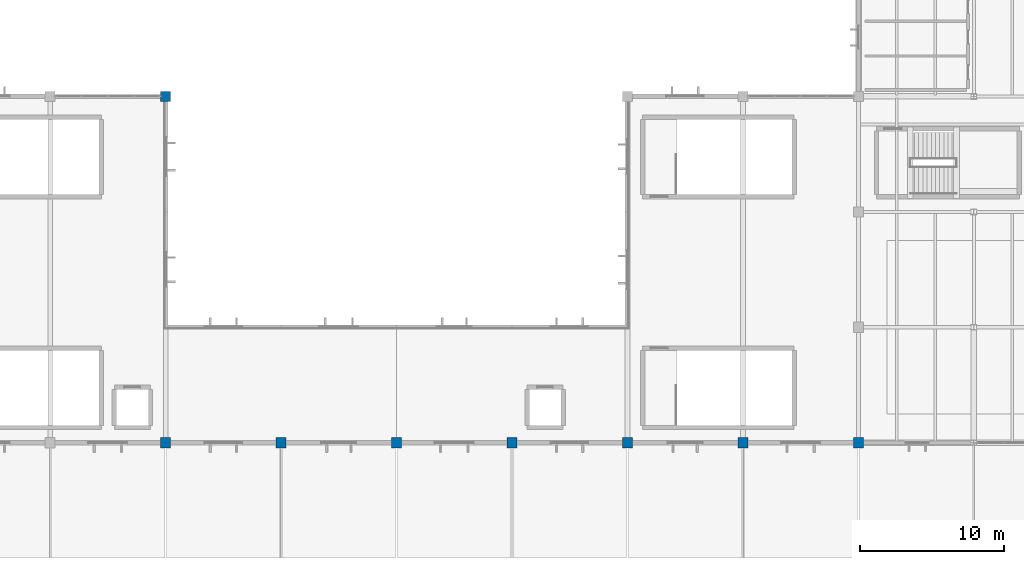
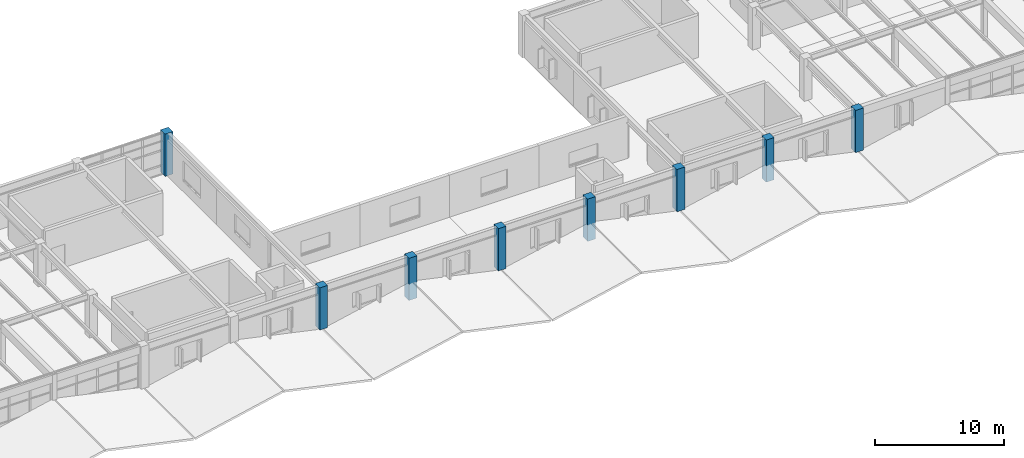
# One storey, part 4 of 48: 8 columns.
"""IFC4 building model written with IfcOpenShell, lengths in metres."""

from ifc_helpers import new_model, si_unit, direction, frame, origin, origin_2d, place, context, subcontext, project, spatial, rectangle, extrude, material, material_profile, profile_set, type_object, element, save


model = new_model("IFC4")

# Units and contexts
model_context = context("Model", 3, precision=1e-05, world=origin(), true_north=direction((0.0, 1.0)))
body_context = subcontext(model_context, "Body", "Model", "MODEL_VIEW")
ifc_project = project(units=[si_unit("LENGTHUNIT", "METRE"), si_unit("AREAUNIT", "SQUARE_METRE"), si_unit("VOLUMEUNIT", "CUBIC_METRE"), si_unit("PLANEANGLEUNIT", "RADIAN"), si_unit("MASSUNIT", "GRAM", prefix="KILO")], contexts=[model_context])

# Site, building, storey
site_placement = place(None, origin())
site = spatial("IfcSite", under=ifc_project, at=site_placement, CompositionType="ELEMENT")
building_placement = place(site_placement, origin())
building = spatial("IfcBuilding", under=site, at=building_placement, Name="Varnela Railside Interchange", CompositionType="ELEMENT")
storey_placement = place(building_placement, frame((0.0, 0.0, 11.199951171875)))
storey = spatial("IfcBuildingStorey", under=building, at=storey_placement, Name="L02", CompositionType="ELEMENT", Elevation=11.199951171875)

# Columns
ifc_material = material(Name="Concrete C50", Category="concrete")
ifc_material_profile = material_profile(ifc_material, rectangle(XDim=0.699951171875, YDim=0.699951171875, at=origin_2d()), Name="RC 700x700")
ifc_profile_set = profile_set([ifc_material_profile], Name="Concrete C50")
column_type = type_object("IfcColumnType", Name="Podium Gallery Column C-02", PredefinedType="COLUMN", material=ifc_profile_set)
for number, where, z_axis, x_axis, name in (
    (1, (68.0, 38.0, 0.0), (0.0, 0.0, 1.0), (1.0, 0.0, 0.0), "Column C-02 (L02) (CL-0815)"),
    (2, (68.0, 62.0, 0.0), (0.0, 0.0, 1.0), (1.0, 0.0, 0.0), "Column C-02 (L02) (CL-0816)"),
    (3, (76.0, 38.0, 0.0), (0.0, 0.0, 1.0), (1.0, 0.0, 0.0), "Column C-02 (L02) (CL-0708)"),
    (4, (84.0, 38.0, 0.0), (0.0, 0.0, 1.0), (1.0, 0.0, 0.0), "Column C-02 (L02) (CL-0709)"),
    (5, (92.0, 38.0, 0.0), (0.0, 0.0, 1.0), (1.0, 0.0, 0.0), "Column C-02 (L02) (CL-0710)"),
    (6, (100.0, 38.0, 0.0), (0.0, 0.0, 1.0), (1.0, 0.0, 0.0), "Column C-02 (L02) (CL-0711)"),
    (7, (108.0, 38.0, 0.0), (0.0, 0.0, 1.0), (1.0, 0.0, 0.0), "Column C-02 (L02) (CL-0713)"),
    (8, (116.0, 38.0, 0.0), (0.0, 0.0, 1.0), (1.0, 0.0, 0.0), "Column C-02 (L02) (CL-0715)"),
):
    element("IfcColumn", number, at=place(storey_placement, frame(where, z_axis=z_axis, x_axis=x_axis)), inside=storey, type_object=column_type, Name=name, PredefinedType="COLUMN", context=body_context, shape_type="SweptSolid", body=[
        extrude(rectangle(XDim=0.699951171875, YDim=0.699951171875, at=origin_2d()), origin(), (0.0, 0.0, 1.0), 4.0),
    ])

save(model, "model.ifc")
